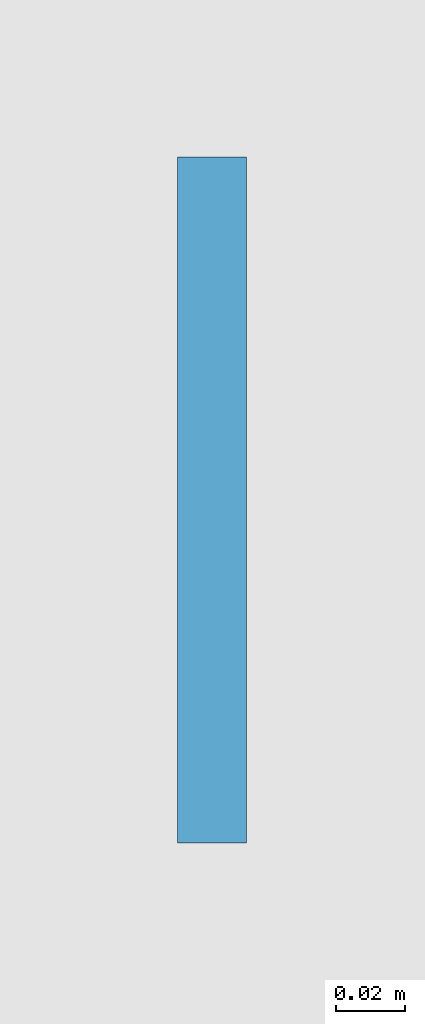
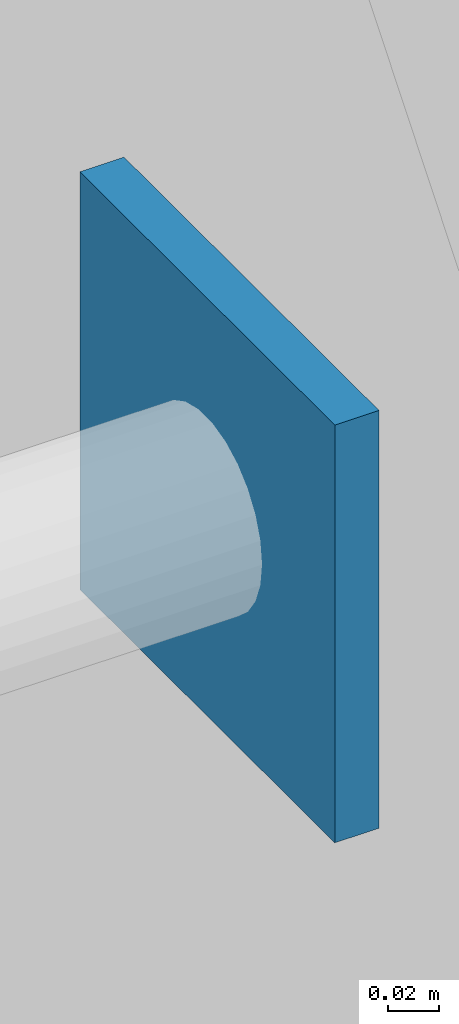
# One storey, part 84 of 115: 1 discrete accessory.
"""IFC4 building model written with IfcOpenShell, lengths in metres."""

from ifc_helpers import new_model, si_unit, direction, frame, origin, origin_2d, place, context, subcontext, project, spatial, rectangle, extrude, material, layer, layer_set, type_object, element, save


model = new_model("IFC4")

# Units and contexts
model_context = context("Model", 3, precision=1e-05, world=origin(), true_north=direction((0.0, 1.0)))
body_context = subcontext(model_context, "Body", "Model", "MODEL_VIEW")
ifc_project = project(units=[si_unit("LENGTHUNIT", "METRE"), si_unit("AREAUNIT", "SQUARE_METRE"), si_unit("VOLUMEUNIT", "CUBIC_METRE"), si_unit("PLANEANGLEUNIT", "RADIAN"), si_unit("MASSUNIT", "GRAM", prefix="KILO")], contexts=[model_context])

# Site, building, storey
site_placement = place(None, origin())
site = spatial("IfcSite", under=ifc_project, at=site_placement, CompositionType="ELEMENT")
building_placement = place(site_placement, origin())
building = spatial("IfcBuilding", under=site, at=building_placement, Name="Ridgestep Commons", CompositionType="ELEMENT")
storey_placement = place(building_placement, frame((0.0, 0.0, 6.0)))
storey = spatial("IfcBuildingStorey", under=building, at=storey_placement, Name="L02", CompositionType="ELEMENT", Elevation=6.0)

# Discrete accessory
ifc_material = material(Name="Structural steel S355JR", Category="steel")
ifc_layer = layer(ifc_material, 0.02001953125)
ifc_layer_set = layer_set([ifc_layer], Name="Hall tie rod end plate 200 x 200 x 20")
discrete_accessory_type = type_object("IfcDiscreteAccessoryType", Name="Hall tie rod end plate 200 x 200 x 20", PredefinedType="BRACKET", material=ifc_layer_set)
discrete_accessory_placement = place(storey_placement, frame((144.7900390625, 59.199951171875, 2.4501953125), z_axis=(0.0, 0.0, 1.0), x_axis=(1.0, 0.0, 0.0)))
element("IfcDiscreteAccessory", 1, at=discrete_accessory_placement, inside=storey, type_object=discrete_accessory_type, Name="Hall tie rod end plate 5E", PredefinedType="BRACKET", context=body_context, shape_type="SweptSolid", body=[
    extrude(rectangle(XDim=0.02001953125, YDim=0.199951171875, at=origin_2d()), origin(), (0.0, 0.0, 1.0), 0.199951171875),
])

save(model, "model.ifc")
